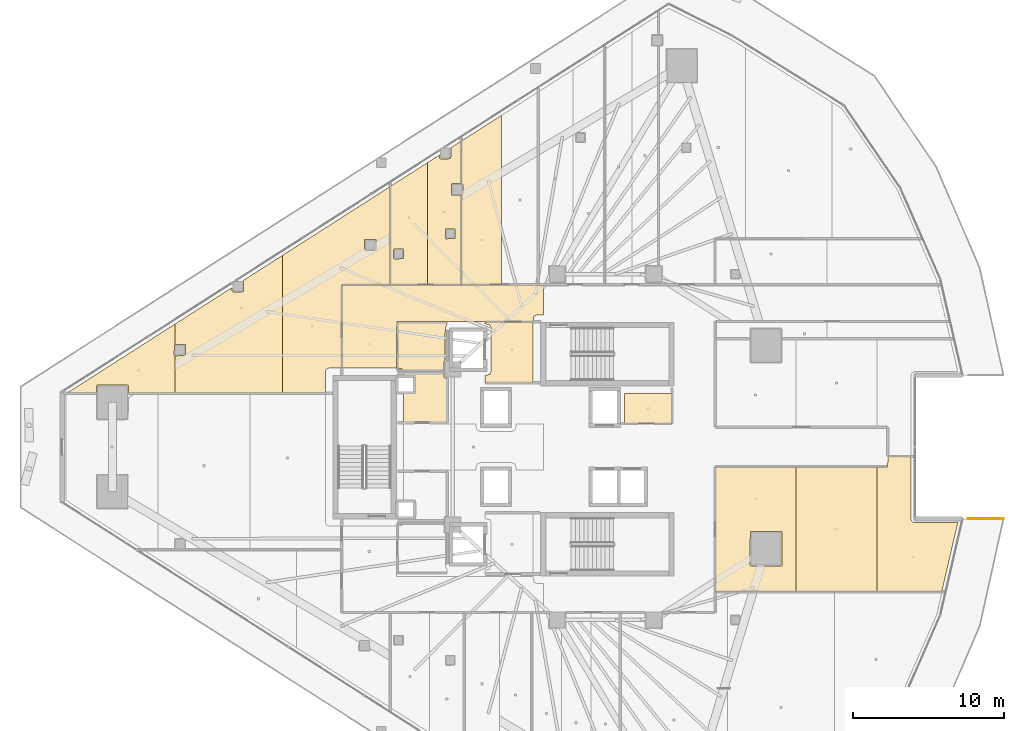
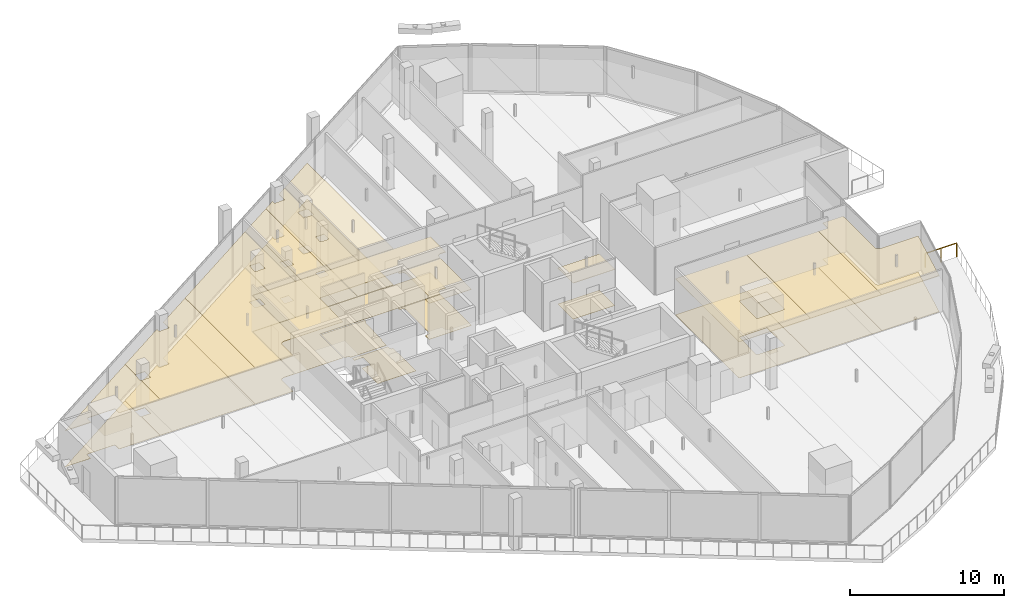
# One storey, part 37 of 39: 26 coverings, 1 railing.
"""IFC4 building model written with IfcOpenShell, lengths in metres."""

import ifcopenshell
import ifcopenshell.guid

model = None  # the IFC model being written
_history = None  # IfcOwnerHistory: only IFC2X3 demands one
_inside = {}  # id of a spatial element -> (the spatial element, [elements in it])
_under = {}  # id of a project, library or spatial element -> (it, [spatial elements below it])
_declared = {}  # id of a project -> (the project, [libraries it declares])
_typed = {}  # id of a type object -> (the type object, [elements of that type])
_made_of = {}  # id of a material, layer set ... -> (it, [elements and type objects made of it])


def new_model(schema):
    """Start an empty IFC model of exactly this schema.

    Asked for "IFC4X3", IfcOpenShell would pick the latest addendum, in which some entities
    have other attributes; the version numbers below select the first issue.
    IFC2X3 requires an IfcOwnerHistory on every rooted entity: one is made here for all.
    """
    global model, _history
    if schema == "IFC4X3":
        model = ifcopenshell.file(schema_version=(4, 3, 0, 0))
    else:
        model = ifcopenshell.file(schema=schema)
    _inside.clear()
    _under.clear()
    _declared.clear()
    _typed.clear()
    _made_of.clear()
    _history = None
    if model.schema == "IFC2X3":
        org = make("IfcOrganization", Name="unknown")
        user = make(
            "IfcPersonAndOrganization",
            ThePerson=make("IfcPerson", FamilyName="unknown"),
            TheOrganization=org,
        )
        app = make(
            "IfcApplication",
            ApplicationDeveloper=org,
            Version="unknown",
            ApplicationFullName="unknown",
            ApplicationIdentifier="unknown",
        )
        _history = make(
            "IfcOwnerHistory",
            OwningUser=user,
            OwningApplication=app,
            ChangeAction="ADDED",
            CreationDate=0,
        )
    return model


def make(cls, **values):
    """One entity of the class cls with the attributes given. An attribute that is None is left unset."""
    return model.create_entity(
        cls, **{name: value for name, value in values.items() if value is not None}
    )


def rooted(cls, **values):
    """An entity with a GlobalId (a new one), such as an element, a storey or a relation."""
    return make(cls, GlobalId=ifcopenshell.guid.new(), OwnerHistory=_history, **values)


def si_unit(unit_type, name, prefix=None):
    """IfcSIUnit, for example si_unit("LENGTHUNIT", "METRE", prefix="MILLI")."""
    return make("IfcSIUnit", UnitType=unit_type, Prefix=prefix, Name=name)


def assignment(units):
    """IfcUnitAssignment: the units of a project."""
    return None if units is None else make("IfcUnitAssignment", Units=units)


def point(xyz):
    """IfcCartesianPoint."""
    return None if xyz is None else make("IfcCartesianPoint", Coordinates=xyz)


def direction(xyz):
    """IfcDirection."""
    return None if xyz is None else make("IfcDirection", DirectionRatios=xyz)


def frame(location, z_axis=None, x_axis=None):
    """IfcAxis2Placement3D, a coordinate frame: its origin and axes. An axis left out is left unset."""
    return make(
        "IfcAxis2Placement3D",
        Location=point(location),
        Axis=direction(z_axis),
        RefDirection=direction(x_axis),
    )


def frame_2d(location, x_axis=None):
    """IfcAxis2Placement2D, a coordinate frame in the plane: its origin and x axis."""
    return make(
        "IfcAxis2Placement2D", Location=point(location), RefDirection=direction(x_axis)
    )


def origin():
    """The frame at (0, 0, 0) with its axes left unset."""
    return frame((0.0, 0.0, 0.0))


def origin_2d():
    """The frame at (0, 0) in the plane with its x axis left unset."""
    return frame_2d((0.0, 0.0))


def place(relative_to, where):
    """IfcLocalPlacement: puts the frame where relative to a parent placement (None: the world)."""
    return make(
        "IfcLocalPlacement", PlacementRelTo=relative_to, RelativePlacement=where
    )


def context(
    kind, dimensions, precision=None, world=None, true_north=None, identifier=None
):
    """IfcGeometricRepresentationContext, for example the 3D "Model" context."""
    return make(
        "IfcGeometricRepresentationContext",
        ContextIdentifier=identifier,
        ContextType=kind,
        CoordinateSpaceDimension=dimensions,
        Precision=precision,
        WorldCoordinateSystem=world,
        TrueNorth=true_north,
    )


def subcontext(parent, identifier, kind, view, scale=None):
    """IfcGeometricRepresentationSubContext, for example "Body" below "Model"."""
    return make(
        "IfcGeometricRepresentationSubContext",
        ContextIdentifier=identifier,
        ContextType=kind,
        ParentContext=parent,
        TargetScale=scale,
        TargetView=view,
    )


def project(units=None, contexts=None):
    """IfcProject with its units and contexts."""
    return rooted(
        "IfcProject",
        Name="project",
        RepresentationContexts=contexts,
        UnitsInContext=assignment(units),
    )


def spatial(cls, under=None, at=None, **own):
    """A site, building, storey or space (cls), placed at a placement, below another one or the project."""
    s = rooted(cls, ObjectPlacement=at, **own)
    if under is not None:
        _under.setdefault(under.id(), (under, []))[1].append(s)
    return s


def polyline(points):
    """IfcPolyline through the points."""
    return make("IfcPolyline", Points=[point(p) for p in points])


def profile(cls, at=None, kind="AREA", **sizes):
    """A parametric profile (cls). Its sizes go by their IFC names, for example OverallWidth=200.0."""
    return make(cls, ProfileType=kind, Position=at, **sizes)


def circle(**sizes):
    """IfcCircleProfileDef."""
    return profile("IfcCircleProfileDef", **sizes)


def outline(outer, holes=None, kind="AREA"):
    """IfcArbitraryClosedProfileDef: a profile drawn as a closed curve; with holes, ...WithVoids."""
    if holes is None:
        return make("IfcArbitraryClosedProfileDef", ProfileType=kind, OuterCurve=outer)
    return make(
        "IfcArbitraryProfileDefWithVoids",
        ProfileType=kind,
        OuterCurve=outer,
        InnerCurves=holes,
    )


def extrude(swept, where, along, depth):
    """IfcExtrudedAreaSolid: the profile swept, set in the frame where, extruded along a direction by depth."""
    return make(
        "IfcExtrudedAreaSolid",
        SweptArea=swept,
        Position=where,
        ExtrudedDirection=direction(along),
        Depth=depth,
    )


def shape(context_of_items, identifier, shape_type, items):
    """IfcShapeRepresentation: the items that make up one representation, for example the "Body"."""
    return make(
        "IfcShapeRepresentation",
        ContextOfItems=context_of_items,
        RepresentationIdentifier=identifier,
        RepresentationType=shape_type,
        Items=items,
    )


def material(Name=None, Category=None):
    """IfcMaterial."""
    return make("IfcMaterial", Name=Name, Category=Category)


def layer(
    of_material, thickness, ventilated=None, Name=None, Category=None, Priority=None
):
    """IfcMaterialLayer: one layer of a wall or slab, of a material (None: an air gap)."""
    return make(
        "IfcMaterialLayer",
        Material=of_material,
        LayerThickness=thickness,
        IsVentilated=ventilated,
        Name=Name,
        Category=Category,
        Priority=Priority,
    )


def layer_set(layers, Name=None):
    """IfcMaterialLayerSet."""
    return make("IfcMaterialLayerSet", MaterialLayers=layers, LayerSetName=Name)


def made_of(thing, what):
    """Note that an element or type object is made of a material, layer set ...; save() writes the relation."""
    if what is not None:
        _made_of.setdefault(what.id(), (what, []))[1].append(thing)
    return thing


def type_object(cls, material=None, **own):
    """A type object (cls), such as IfcWallType, which elements share."""
    return made_of(rooted(cls, **own), material)


def element(
    cls,
    number,
    at=None,
    inside=None,
    cuts=None,
    type_object=None,
    material=None,
    context=None,
    identifier="Body",
    shape_type=None,
    held_by="IfcProductDefinitionShape",
    body=None,
    shapes=None,
    **own,
):
    """One element of the class cls, such as IfcWall. Its Tag is "e" and its number.

    at: its placement. inside: the storey or other place that contains it. cuts: it is an
    opening in that element (IfcRelVoidsElement). A single representation is given by context,
    identifier, shape_type and body (its items); several are given by shapes. held_by: the class
    of the entity that holds the representations. save() writes the other relations.
    """
    e = rooted(cls, Tag="e%d" % number, ObjectPlacement=at, **own)
    if body is not None:
        shapes = [shape(context, identifier, shape_type, body)]
    if shapes is not None:
        e.Representation = make(held_by, Representations=shapes)
    if inside is not None:
        _inside.setdefault(inside.id(), (inside, []))[1].append(e)
    if cuts is not None:
        rooted(
            "IfcRelVoidsElement", RelatingBuildingElement=cuts, RelatedOpeningElement=e
        )
    if type_object is not None:
        _typed.setdefault(type_object.id(), (type_object, []))[1].append(e)
    return made_of(e, material)


def aggregate(whole, parts):
    """IfcRelAggregates: a whole, such as a stair, and the parts it consists of."""
    return rooted("IfcRelAggregates", RelatingObject=whole, RelatedObjects=parts)


def save(model, path):
    """Write the relations noted so far, then the file.

    IfcRelAggregates (storeys below a building ...), IfcRelContainedInSpatialStructure (elements
    in a storey), IfcRelDefinesByType, IfcRelAssociatesMaterial and IfcRelDeclares: one each for
    every whole, place, type object, material and project.
    """
    for whole, parts in _under.values():
        aggregate(whole, parts)
    for where, things in _inside.values():
        rooted(
            "IfcRelContainedInSpatialStructure",
            RelatedElements=things,
            RelatingStructure=where,
        )
    for kind, things in _typed.values():
        rooted("IfcRelDefinesByType", RelatedObjects=things, RelatingType=kind)
    for what, things in _made_of.values():
        rooted("IfcRelAssociatesMaterial", RelatedObjects=things, RelatingMaterial=what)
    for by, libraries in _declared.values():
        rooted("IfcRelDeclares", RelatingContext=by, RelatedDefinitions=libraries)
    model.write(path)


model = new_model("IFC4")

# Units and contexts
model_context = context("Model", 3, precision=1e-05, world=origin(), true_north=direction((0.0, 1.0)))
body_context = subcontext(model_context, "Body", "Model", "MODEL_VIEW")
ifc_project = project(units=[si_unit("LENGTHUNIT", "METRE"), si_unit("AREAUNIT", "SQUARE_METRE"), si_unit("VOLUMEUNIT", "CUBIC_METRE"), si_unit("PLANEANGLEUNIT", "RADIAN"), si_unit("MASSUNIT", "GRAM", prefix="KILO")], contexts=[model_context])

# Site, building, storey
site_placement = place(None, origin())
site = spatial("IfcSite", under=ifc_project, at=site_placement, CompositionType="ELEMENT")
building_placement = place(site_placement, origin())
building = spatial("IfcBuilding", under=site, at=building_placement, Name="Qorvath Tower", CompositionType="ELEMENT")
storey_placement = place(building_placement, frame((0.0, 0.0, 162.449951171875)))
storey = spatial("IfcBuildingStorey", under=building, at=storey_placement, Name="L37", CompositionType="ELEMENT", Elevation=162.449951171875)

# Coverings
ifc_material_1 = material(Name="Acoustic mineral fibre ceiling tile", Category="gypsum")
ifc_layer_1 = layer(ifc_material_1, 0.030029296875)
ifc_layer_set_1 = layer_set([ifc_layer_1], Name="COV-CEIL")
covering_type_1 = type_object("IfcCoveringType", Name="COV-CEIL", PredefinedType="CEILING", material=ifc_layer_set_1)
covering_1_placement = place(storey_placement, frame((0.0, 0.0, 2.85009765625)))
element("IfcCovering", 1, at=covering_1_placement, inside=storey, type_object=covering_type_1, Name="L37 Suspended Acoustic Ceiling 001", PredefinedType="CEILING", context=body_context, shape_type="SweptSolid", body=[
    extrude(outline(polyline([(-25.18994140625, 4.2548828125), (-25.18994140625, 8.294921875), (-28.375, 8.294921875), (-28.375, 8.159912109375), (-28.063232421875, 8.086669921875), (-27.989990234375, 7.909912109375), (-27.989990234375, 4.989990234375), (-28.063232421875, 4.813232421875), (-28.375, 4.739990234375), (-28.375, 4.2548828125), (-25.18994140625, 4.2548828125)])), origin(), (0.0, 0.0, 1.0), 0.030029296875),
])
covering_2_placement = place(storey_placement, frame((0.0, 0.0, 2.85009765625)))
element("IfcCovering", 2, at=covering_2_placement, inside=storey, type_object=covering_type_1, Name="L37 Suspended Acoustic Ceiling 003", PredefinedType="CEILING", context=body_context, shape_type="SweptSolid", body=[
    extrude(outline(polyline([(-16.0048828125, 3.56005859375), (-19.139892578125, 3.56005859375), (-19.139892578125, 1.56494140625), (-16.0048828125, 1.56494140625), (-16.0048828125, 3.56005859375)])), origin(), (0.0, 0.0, 1.0), 0.030029296875),
])
covering_3_placement = place(storey_placement, frame((0.0, 0.0, 2.85009765625)))
element("IfcCovering", 3, at=covering_3_placement, inside=storey, type_object=covering_type_1, Name="L37 Suspended Acoustic Ceiling 009", PredefinedType="CEILING", context=body_context, shape_type="SweptSolid", body=[
    extrude(outline(polyline([(-24.521484375, 8.75), (-24.521484375, 10.7451171875), (-37.844970703125, 10.7451171875), (-37.844970703125, 5.239990234375), (-34.2509765625, 5.239990234375), (-34.219970703125, 8.324951171875), (-25.18994140625, 8.324951171875), (-25.11669921875, 8.6767578125), (-24.93994140625, 8.75), (-24.521484375, 8.75)])), origin(), (0.0, 0.0, 1.0), 0.030029296875),
])
covering_4_placement = place(storey_placement, frame((0.0, 0.0, 2.85009765625)))
element("IfcCovering", 4, at=covering_4_placement, inside=storey, type_object=covering_type_1, Name="L37 Suspended Acoustic Ceiling 011", PredefinedType="CEILING", context=body_context, shape_type="SweptSolid", body=[
    extrude(outline(polyline([(-32.190185546875, 10.762939453125), (-32.190185546875, 18.826171875), (-34.64501953125, 17.25732421875), (-34.64501953125, 10.762939453125), (-32.190185546875, 10.762939453125)]), holes=[polyline([(-34.439208984375, 12.517578125), (-34.421630859375, 13.10986328125), (-33.786865234375, 13.10986328125), (-33.786865234375, 12.47509765625), (-34.379150390625, 12.45751953125), (-34.439208984375, 12.517578125)])]), origin(), (0.0, 0.0, 1.0), 0.030029296875),
])
covering_5_placement = place(storey_placement, frame((0.0, 0.0, 2.85009765625)))
element("IfcCovering", 5, at=covering_5_placement, inside=storey, type_object=covering_type_1, Name="L37 Suspended Acoustic Ceiling 012", PredefinedType="CEILING", context=body_context, shape_type="SweptSolid", body=[
    extrude(outline(polyline([(-29.96337890625, 17.444580078125), (-29.96337890625, 20.24951171875), (-30.643310546875, 19.81494140625), (-30.648681640625, 19.093017578125), (-31.341064453125, 19.075439453125), (-31.401123046875, 19.135498046875), (-31.401123046875, 19.33056640625), (-32.190185546875, 18.826171875), (-32.190185546875, 10.762939453125), (-29.96337890625, 10.762939453125), (-29.96337890625, 16.674560546875), (-30.59228515625, 16.692138671875), (-30.60986328125, 17.384521484375), (-30.5498046875, 17.444580078125), (-29.96337890625, 17.444580078125)]), holes=[polyline([(-31.01220703125, 13.849365234375), (-30.99462890625, 14.441650390625), (-30.35986328125, 14.441650390625), (-30.35986328125, 13.806884765625), (-30.9521484375, 13.789306640625), (-31.01220703125, 13.849365234375)])]), origin(), (0.0, 0.0, 1.0), 0.030029296875),
])
covering_6_placement = place(storey_placement, frame((0.0, 0.0, 2.85009765625)))
element("IfcCovering", 6, at=covering_6_placement, inside=storey, type_object=covering_type_1, Name="L37 Suspended Acoustic Ceiling 013", PredefinedType="CEILING", context=body_context, shape_type="SweptSolid", body=[
    extrude(outline(polyline([(-29.9453125, 16.674560546875), (-29.9453125, 10.762939453125), (-27.275634765625, 10.762939453125), (-27.275634765625, 21.96728515625), (-29.9453125, 20.260986328125), (-29.9453125, 17.444580078125), (-29.83984375, 17.384521484375), (-29.83984375, 16.734619140625), (-29.9453125, 16.674560546875)])), origin(), (0.0, 0.0, 1.0), 0.030029296875),
])
covering_7_placement = place(storey_placement, frame((0.0, 0.0, 2.85009765625)))
element("IfcCovering", 7, at=covering_7_placement, inside=storey, type_object=covering_type_1, Name="L37 Suspended Acoustic Ceiling 032", PredefinedType="CEILING", context=body_context, shape_type="SweptSolid", body=[
    extrude(outline(polyline([(-7.782958984375, -9.574951171875), (-7.782958984375, -1.31298828125), (-13.136962890625, -1.31298828125), (-13.136962890625, -9.5732421875), (-7.782958984375, -9.574951171875)]), holes=[polyline([(-10.830322265625, -7.8212890625), (-10.812744140625, -5.578857421875), (-8.727783203125, -5.578857421875), (-8.727783203125, -7.86376953125), (-10.770263671875, -7.88134765625), (-10.830322265625, -7.8212890625)])]), origin(), (0.0, 0.0, 1.0), 0.030029296875),
])
covering_8_placement = place(storey_placement, frame((0.0, 0.0, 2.85009765625)))
element("IfcCovering", 8, at=covering_8_placement, inside=storey, type_object=covering_type_1, Name="L37 Suspended Acoustic Ceiling 033", PredefinedType="CEILING", context=body_context, shape_type="SweptSolid", body=[
    extrude(outline(polyline([(-2.428955078125, -9.57666015625), (-2.428955078125, -1.31298828125), (-7.782958984375, -1.31298828125), (-7.782958984375, -9.574951171875), (-2.428955078125, -9.57666015625)])), origin(), (0.0, 0.0, 1.0), 0.030029296875),
])
covering_9_placement = place(storey_placement, frame((0.0, 0.0, 2.85009765625)))
element("IfcCovering", 9, at=covering_9_placement, inside=storey, type_object=covering_type_1, Name="L37 Suspended Acoustic Ceiling 034", PredefinedType="CEILING", context=body_context, shape_type="SweptSolid", body=[
    extrude(outline(polyline([(-0.0849609375, -4.94775390625), (-0.172119140625, -4.80078125), (-0.177001953125, -0.6298828125), (-1.708984375, -0.6298828125), (-1.714111328125, -1.31298828125), (-2.428955078125, -1.31298828125), (-2.428955078125, -9.57666015625), (1.865966796875, -9.577880859375), (2.925048828125, -5.007080078125), (0.053466796875, -5.005859375), (-0.0849609375, -4.94775390625)])), origin(), (0.0, 0.0, 1.0), 0.030029296875),
])
covering_10_placement = place(storey_placement, frame((0.0, 0.0, 2.85009765625)))
element("IfcCovering", 10, at=covering_10_placement, inside=storey, type_object=covering_type_1, Name="L37 Suspended Acoustic Ceiling 046", PredefinedType="CEILING", context=body_context, shape_type="SweptSolid", body=[
    extrude(outline(polyline([(-48.916748046875, 3.58056640625), (-48.916748046875, 6.052978515625), (-48.96337890625, 6.099609375), (-48.94580078125, 6.7919921875), (-48.916748046875, 6.7919921875), (-48.916748046875, 8.1357421875), (-56.043701171875, 3.58056640625), (-54.109375, 3.58056640625), (-54.109375, 4.05078125), (-54.04931640625, 4.11083984375), (-52.04931640625, 4.11083984375), (-51.989501953125, 4.05078125), (-51.989501953125, 3.58056640625), (-48.916748046875, 3.58056640625)])), origin(), (0.0, 0.0, 1.0), 0.030029296875),
])
covering_11_placement = place(storey_placement, frame((0.0, 0.0, 2.85009765625)))
element("IfcCovering", 11, at=covering_11_placement, inside=storey, type_object=covering_type_1, Name="L37 Suspended Acoustic Ceiling 047", PredefinedType="CEILING", context=body_context, shape_type="SweptSolid", body=[
    extrude(outline(polyline([(-41.789794921875, 3.58056640625), (-41.789794921875, 12.690673828125), (-44.390380859375, 11.028564453125), (-44.368896484375, 10.284912109375), (-45.061279296875, 10.267333984375), (-45.121337890625, 10.327392578125), (-45.121337890625, 10.5615234375), (-48.916748046875, 8.1357421875), (-48.916748046875, 6.7919921875), (-48.2109375, 6.7919921875), (-48.2109375, 6.05712890625), (-48.9033203125, 6.03955078125), (-48.916748046875, 6.052978515625), (-48.916748046875, 3.58056640625), (-41.789794921875, 3.58056640625)])), origin(), (0.0, 0.0, 1.0), 0.030029296875),
])
covering_12_placement = place(storey_placement, frame((0.0, 0.0, 2.85009765625)))
element("IfcCovering", 12, at=covering_12_placement, inside=storey, type_object=covering_type_1, Name="L37 Suspended Acoustic Ceiling 048", PredefinedType="CEILING", context=body_context, shape_type="SweptSolid", body=[
    extrude(outline(polyline([(-34.6630859375, 10.762939453125), (-34.6630859375, 17.245849609375), (-41.789794921875, 12.690673828125), (-41.789794921875, 3.58056640625), (-38.949951171875, 3.58056640625), (-38.949951171875, 4.989990234375), (-38.876708984375, 5.166748046875), (-38.699951171875, 5.239990234375), (-37.863037109375, 5.239990234375), (-37.861572265625, 10.761474609375), (-34.6630859375, 10.762939453125)]), holes=[polyline([(-36.36572265625, 13.055908203125), (-36.34814453125, 13.748291015625), (-35.61328125, 13.748291015625), (-35.61328125, 13.013427734375), (-36.3056640625, 12.995849609375), (-36.36572265625, 13.055908203125)])]), origin(), (0.0, 0.0, 1.0), 0.030029296875),
])
ifc_material_2 = material(Name="Low-VOC modular carpet tile", Category="textile")
ifc_layer_2 = layer(ifc_material_2, 0.014892578125)
ifc_layer_set_2 = layer_set([ifc_layer_2], Name="COV-FLOOR-CPT")
covering_type_2 = type_object("IfcCoveringType", Name="COV-FLOOR-CPT", PredefinedType="FLOORING", material=ifc_layer_set_2)
covering_13_placement = place(storey_placement, origin())
element("IfcCovering", 13, at=covering_13_placement, inside=storey, type_object=covering_type_2, Name="L37 Floor Finish 003", PredefinedType="FLOORING", context=body_context, shape_type="SweptSolid", body=[
    extrude(outline(polyline([(-16.0048828125, 3.56005859375), (-19.139892578125, 3.56005859375), (-19.139892578125, 1.56494140625), (-16.0048828125, 1.56494140625), (-16.0048828125, 3.56005859375)])), origin(), (0.0, 0.0, 1.0), 0.01513671875),
])
covering_14_placement = place(storey_placement, origin())
element("IfcCovering", 14, at=covering_14_placement, inside=storey, type_object=covering_type_2, Name="L37 Floor Finish 005", PredefinedType="FLOORING", context=body_context, shape_type="SweptSolid", body=[
    extrude(outline(polyline([(-31.0849609375, 4.89501953125), (-33.760009765625, 4.89501953125), (-33.760009765625, 4.633056640625), (-33.08837890625, 4.631591796875), (-33.0869140625, 3.64208984375), (-33.760009765625, 3.636962890625), (-33.760009765625, 1.60498046875), (-30.885009765625, 1.60498046875), (-30.885009765625, 4.56494140625), (-31.02490234375, 4.56494140625), (-31.0849609375, 4.625), (-31.0849609375, 4.89501953125)])), origin(), (0.0, 0.0, 1.0), 0.01513671875),
])
covering_15_placement = place(storey_placement, origin())
element("IfcCovering", 15, at=covering_15_placement, inside=storey, type_object=covering_type_2, Name="L37 Floor Finish 011", PredefinedType="FLOORING", context=body_context, shape_type="SweptSolid", body=[
    extrude(outline(polyline([(-32.190185546875, 10.762939453125), (-32.190185546875, 18.826171875), (-34.64501953125, 17.25732421875), (-34.64501953125, 10.762939453125), (-32.190185546875, 10.762939453125)]), holes=[polyline([(-34.439208984375, 12.517578125), (-34.421630859375, 13.10986328125), (-33.786865234375, 13.10986328125), (-33.786865234375, 12.47509765625), (-34.379150390625, 12.45751953125), (-34.439208984375, 12.517578125)])]), origin(), (0.0, 0.0, 1.0), 0.01513671875),
])
covering_16_placement = place(storey_placement, origin())
element("IfcCovering", 16, at=covering_16_placement, inside=storey, type_object=covering_type_2, Name="L37 Floor Finish 012", PredefinedType="FLOORING", context=body_context, shape_type="SweptSolid", body=[
    extrude(outline(polyline([(-29.96337890625, 17.444580078125), (-29.96337890625, 20.24951171875), (-30.643310546875, 19.81494140625), (-30.648681640625, 19.093017578125), (-31.341064453125, 19.075439453125), (-31.401123046875, 19.135498046875), (-31.401123046875, 19.33056640625), (-32.190185546875, 18.826171875), (-32.190185546875, 10.762939453125), (-29.96337890625, 10.762939453125), (-29.96337890625, 16.674560546875), (-30.59228515625, 16.692138671875), (-30.60986328125, 17.384521484375), (-30.5498046875, 17.444580078125), (-29.96337890625, 17.444580078125)]), holes=[polyline([(-31.01220703125, 13.849365234375), (-30.99462890625, 14.441650390625), (-30.35986328125, 14.441650390625), (-30.35986328125, 13.806884765625), (-30.9521484375, 13.789306640625), (-31.01220703125, 13.849365234375)])]), origin(), (0.0, 0.0, 1.0), 0.01513671875),
])
covering_17_placement = place(storey_placement, origin())
element("IfcCovering", 17, at=covering_17_placement, inside=storey, type_object=covering_type_2, Name="L37 Floor Finish 013", PredefinedType="FLOORING", context=body_context, shape_type="SweptSolid", body=[
    extrude(outline(polyline([(-29.9453125, 16.674560546875), (-29.9453125, 10.762939453125), (-27.275634765625, 10.762939453125), (-27.275634765625, 21.96728515625), (-29.9453125, 20.260986328125), (-29.9453125, 17.444580078125), (-29.83984375, 17.384521484375), (-29.83984375, 16.734619140625), (-29.9453125, 16.674560546875)])), origin(), (0.0, 0.0, 1.0), 0.01513671875),
])
covering_18_placement = place(storey_placement, origin())
element("IfcCovering", 18, at=covering_18_placement, inside=storey, type_object=covering_type_2, Name="L37 Floor Finish 032", PredefinedType="FLOORING", context=body_context, shape_type="SweptSolid", body=[
    extrude(outline(polyline([(-7.782958984375, -9.574951171875), (-7.782958984375, -1.31298828125), (-13.136962890625, -1.31298828125), (-13.136962890625, -9.5732421875), (-7.782958984375, -9.574951171875)]), holes=[polyline([(-10.830322265625, -7.8212890625), (-10.812744140625, -5.578857421875), (-8.727783203125, -5.578857421875), (-8.727783203125, -7.86376953125), (-10.770263671875, -7.88134765625), (-10.830322265625, -7.8212890625)])]), origin(), (0.0, 0.0, 1.0), 0.01513671875),
])
covering_19_placement = place(storey_placement, origin())
element("IfcCovering", 19, at=covering_19_placement, inside=storey, type_object=covering_type_2, Name="L37 Floor Finish 033", PredefinedType="FLOORING", context=body_context, shape_type="SweptSolid", body=[
    extrude(outline(polyline([(-2.428955078125, -9.57666015625), (-2.428955078125, -1.31298828125), (-7.782958984375, -1.31298828125), (-7.782958984375, -9.574951171875), (-2.428955078125, -9.57666015625)])), origin(), (0.0, 0.0, 1.0), 0.01513671875),
])
covering_20_placement = place(storey_placement, origin())
element("IfcCovering", 20, at=covering_20_placement, inside=storey, type_object=covering_type_2, Name="L37 Floor Finish 034", PredefinedType="FLOORING", context=body_context, shape_type="SweptSolid", body=[
    extrude(outline(polyline([(-0.0849609375, -4.94775390625), (-0.172119140625, -4.80078125), (-0.177001953125, -0.6298828125), (-1.708984375, -0.6298828125), (-1.714111328125, -1.31298828125), (-2.428955078125, -1.31298828125), (-2.428955078125, -9.57666015625), (1.865966796875, -9.577880859375), (2.925048828125, -5.007080078125), (0.053466796875, -5.005859375), (-0.0849609375, -4.94775390625)])), origin(), (0.0, 0.0, 1.0), 0.01513671875),
])
covering_21_placement = place(storey_placement, origin())
element("IfcCovering", 21, at=covering_21_placement, inside=storey, type_object=covering_type_2, Name="L37 Floor Finish 046", PredefinedType="FLOORING", context=body_context, shape_type="SweptSolid", body=[
    extrude(outline(polyline([(-48.916748046875, 3.58056640625), (-48.916748046875, 6.052978515625), (-48.96337890625, 6.099609375), (-48.94580078125, 6.7919921875), (-48.916748046875, 6.7919921875), (-48.916748046875, 8.1357421875), (-56.043701171875, 3.58056640625), (-54.109375, 3.58056640625), (-54.109375, 4.05078125), (-54.04931640625, 4.11083984375), (-52.04931640625, 4.11083984375), (-51.989501953125, 4.05078125), (-51.989501953125, 3.58056640625), (-48.916748046875, 3.58056640625)])), origin(), (0.0, 0.0, 1.0), 0.01513671875),
])
covering_22_placement = place(storey_placement, origin())
element("IfcCovering", 22, at=covering_22_placement, inside=storey, type_object=covering_type_2, Name="L37 Floor Finish 047", PredefinedType="FLOORING", context=body_context, shape_type="SweptSolid", body=[
    extrude(outline(polyline([(-41.789794921875, 3.58056640625), (-41.789794921875, 12.690673828125), (-44.390380859375, 11.028564453125), (-44.368896484375, 10.284912109375), (-45.061279296875, 10.267333984375), (-45.121337890625, 10.327392578125), (-45.121337890625, 10.5615234375), (-48.916748046875, 8.1357421875), (-48.916748046875, 6.7919921875), (-48.2109375, 6.7919921875), (-48.2109375, 6.05712890625), (-48.9033203125, 6.03955078125), (-48.916748046875, 6.052978515625), (-48.916748046875, 3.58056640625), (-41.789794921875, 3.58056640625)])), origin(), (0.0, 0.0, 1.0), 0.01513671875),
])
covering_23_placement = place(storey_placement, origin())
element("IfcCovering", 23, at=covering_23_placement, inside=storey, type_object=covering_type_2, Name="L37 Floor Finish 048", PredefinedType="FLOORING", context=body_context, shape_type="SweptSolid", body=[
    extrude(outline(polyline([(-34.6630859375, 10.762939453125), (-34.6630859375, 17.245849609375), (-41.789794921875, 12.690673828125), (-41.789794921875, 3.58056640625), (-38.949951171875, 3.58056640625), (-38.949951171875, 4.989990234375), (-38.876708984375, 5.166748046875), (-38.699951171875, 5.239990234375), (-37.863037109375, 5.239990234375), (-37.861572265625, 10.761474609375), (-34.6630859375, 10.762939453125)]), holes=[polyline([(-36.36572265625, 13.055908203125), (-36.34814453125, 13.748291015625), (-35.61328125, 13.748291015625), (-35.61328125, 13.013427734375), (-36.3056640625, 12.995849609375), (-36.36572265625, 13.055908203125)])]), origin(), (0.0, 0.0, 1.0), 0.01513671875),
])
ifc_material_3 = material(Name="Polished epoxy terrazzo flooring", Category="concrete")
ifc_layer_3 = layer(ifc_material_3, 0.02001953125)
ifc_layer_set_3 = layer_set([ifc_layer_3], Name="COV-FLOOR-TRZ")
covering_type_3 = type_object("IfcCoveringType", Name="COV-FLOOR-TRZ", PredefinedType="FLOORING", material=ifc_layer_set_3)
covering_24_placement = place(storey_placement, origin())
element("IfcCovering", 24, at=covering_24_placement, inside=storey, type_object=covering_type_3, Name="L37 Floor Finish 001", PredefinedType="FLOORING", context=body_context, shape_type="SweptSolid", body=[
    extrude(outline(polyline([(-25.18994140625, 4.2548828125), (-25.18994140625, 8.294921875), (-28.375, 8.294921875), (-28.375, 8.159912109375), (-28.063232421875, 8.086669921875), (-27.989990234375, 7.909912109375), (-27.989990234375, 4.989990234375), (-28.063232421875, 4.813232421875), (-28.375, 4.739990234375), (-28.375, 4.2548828125), (-25.18994140625, 4.2548828125)])), origin(), (0.0, 0.0, 1.0), 0.01513671875),
])
covering_25_placement = place(storey_placement, origin())
element("IfcCovering", 25, at=covering_25_placement, inside=storey, type_object=covering_type_3, Name="L37 Floor Finish 004", PredefinedType="FLOORING", context=body_context, shape_type="SweptSolid", body=[
    extrude(outline(polyline([(-31.010009765625, 7.909912109375), (-30.885009765625, 8.108154296875), (-30.885009765625, 8.2451171875), (-34.175048828125, 8.2451171875), (-34.175048828125, 5.239990234375), (-33.833251953125, 5.166748046875), (-33.786865234375, 5.054931640625), (-31.0849609375, 5.054931640625), (-31.0849609375, 5.675048828125), (-31.02490234375, 5.735107421875), (-31.010009765625, 7.909912109375)])), origin(), (0.0, 0.0, 1.0), 0.01513671875),
])
covering_26_placement = place(storey_placement, origin())
element("IfcCovering", 26, at=covering_26_placement, inside=storey, type_object=covering_type_3, Name="L37 Floor Finish 009", PredefinedType="FLOORING", context=body_context, shape_type="SweptSolid", body=[
    extrude(outline(polyline([(-24.521484375, 8.75), (-24.521484375, 10.7451171875), (-37.844970703125, 10.7451171875), (-37.844970703125, 5.239990234375), (-34.2509765625, 5.239990234375), (-34.219970703125, 8.324951171875), (-25.18994140625, 8.324951171875), (-25.11669921875, 8.6767578125), (-24.93994140625, 8.75), (-24.521484375, 8.75)])), origin(), (0.0, 0.0, 1.0), 0.01513671875),
])

# Railing
ifc_material_4 = material(Name="Laminated safety glass and stainless steel AISI 316", Category="steel")
railing_type = type_object("IfcRailingType", Name="RL-EXT-GRD", PredefinedType="GUARDRAIL", material=ifc_material_4)
railing_placement = place(storey_placement, frame((3.595703125, -4.751953125, 0.0)))
element("IfcRailing", 27, at=railing_placement, inside=storey, type_object=railing_type, Name="Loggia Perimeter Guardrail L37-1.2", PredefinedType="GUARDRAIL", context=body_context, shape_type="SweptSolid", body=[
    extrude(circle(Radius=0.02392578125, at=origin_2d()), frame((0.0, 0.0, 1.09619140625), z_axis=(1.0, 0.0, 0.0), x_axis=(0.0, 1.0, 0.0)), (0.0, 0.0, 1.0), 2.366455078125),
    extrude(circle(Radius=0.02099609375, at=origin_2d()), origin(), (0.0, 0.0, 1.0), 1.072021484375),
    extrude(circle(Radius=0.02099609375, at=origin_2d()), frame((1.18310546875, 0.0, 0.0)), (0.0, 0.0, 1.0), 1.072021484375),
    extrude(circle(Radius=0.02099609375, at=origin_2d()), frame((2.366455078125, 0.0, 0.0)), (0.0, 0.0, 1.0), 1.072021484375),
])

save(model, "model.ifc")
